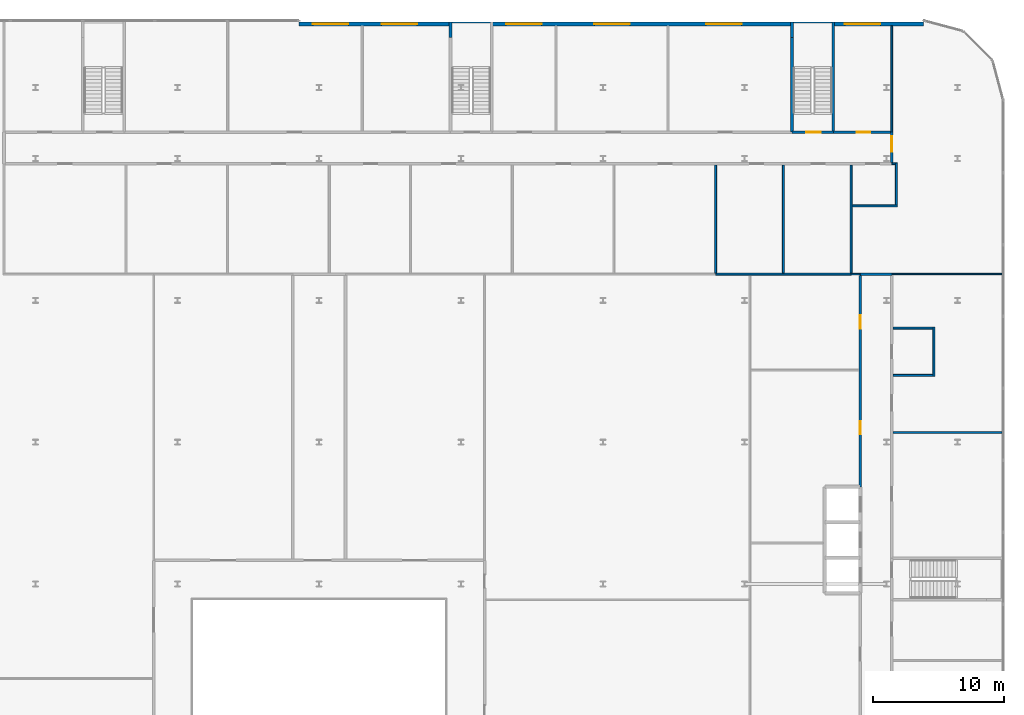
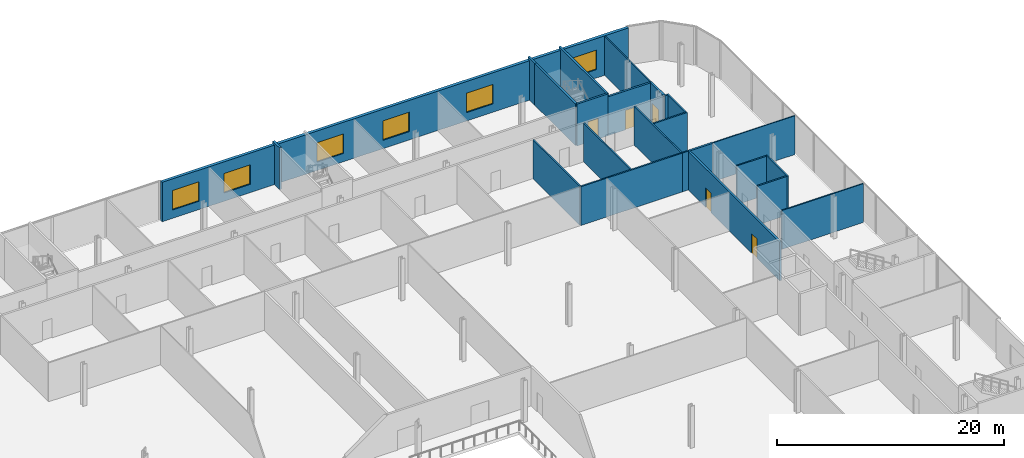
# One storey, part 36 of 47: 24 walls, 6 windows, 5 doors, 11 openings.
"""IFC4 building model written with IfcOpenShell, lengths in metres."""

import ifcopenshell
import ifcopenshell.guid

model = None  # the IFC model being written
_history = None  # IfcOwnerHistory: only IFC2X3 demands one
_inside = {}  # id of a spatial element -> (the spatial element, [elements in it])
_under = {}  # id of a project, library or spatial element -> (it, [spatial elements below it])
_declared = {}  # id of a project -> (the project, [libraries it declares])
_typed = {}  # id of a type object -> (the type object, [elements of that type])
_made_of = {}  # id of a material, layer set ... -> (it, [elements and type objects made of it])


def new_model(schema):
    """Start an empty IFC model of exactly this schema.

    Asked for "IFC4X3", IfcOpenShell would pick the latest addendum, in which some entities
    have other attributes; the version numbers below select the first issue.
    IFC2X3 requires an IfcOwnerHistory on every rooted entity: one is made here for all.
    """
    global model, _history
    if schema == "IFC4X3":
        model = ifcopenshell.file(schema_version=(4, 3, 0, 0))
    else:
        model = ifcopenshell.file(schema=schema)
    _inside.clear()
    _under.clear()
    _declared.clear()
    _typed.clear()
    _made_of.clear()
    _history = None
    if model.schema == "IFC2X3":
        org = make("IfcOrganization", Name="unknown")
        user = make(
            "IfcPersonAndOrganization",
            ThePerson=make("IfcPerson", FamilyName="unknown"),
            TheOrganization=org,
        )
        app = make(
            "IfcApplication",
            ApplicationDeveloper=org,
            Version="unknown",
            ApplicationFullName="unknown",
            ApplicationIdentifier="unknown",
        )
        _history = make(
            "IfcOwnerHistory",
            OwningUser=user,
            OwningApplication=app,
            ChangeAction="ADDED",
            CreationDate=0,
        )
    return model


def make(cls, **values):
    """One entity of the class cls with the attributes given. An attribute that is None is left unset."""
    return model.create_entity(
        cls, **{name: value for name, value in values.items() if value is not None}
    )


def rooted(cls, **values):
    """An entity with a GlobalId (a new one), such as an element, a storey or a relation."""
    return make(cls, GlobalId=ifcopenshell.guid.new(), OwnerHistory=_history, **values)


def si_unit(unit_type, name, prefix=None):
    """IfcSIUnit, for example si_unit("LENGTHUNIT", "METRE", prefix="MILLI")."""
    return make("IfcSIUnit", UnitType=unit_type, Prefix=prefix, Name=name)


def assignment(units):
    """IfcUnitAssignment: the units of a project."""
    return None if units is None else make("IfcUnitAssignment", Units=units)


def point(xyz):
    """IfcCartesianPoint."""
    return None if xyz is None else make("IfcCartesianPoint", Coordinates=xyz)


def direction(xyz):
    """IfcDirection."""
    return None if xyz is None else make("IfcDirection", DirectionRatios=xyz)


def frame(location, z_axis=None, x_axis=None):
    """IfcAxis2Placement3D, a coordinate frame: its origin and axes. An axis left out is left unset."""
    return make(
        "IfcAxis2Placement3D",
        Location=point(location),
        Axis=direction(z_axis),
        RefDirection=direction(x_axis),
    )


def frame_2d(location, x_axis=None):
    """IfcAxis2Placement2D, a coordinate frame in the plane: its origin and x axis."""
    return make(
        "IfcAxis2Placement2D", Location=point(location), RefDirection=direction(x_axis)
    )


def origin():
    """The frame at (0, 0, 0) with its axes left unset."""
    return frame((0.0, 0.0, 0.0))


def place(relative_to, where):
    """IfcLocalPlacement: puts the frame where relative to a parent placement (None: the world)."""
    return make(
        "IfcLocalPlacement", PlacementRelTo=relative_to, RelativePlacement=where
    )


def context(
    kind, dimensions, precision=None, world=None, true_north=None, identifier=None
):
    """IfcGeometricRepresentationContext, for example the 3D "Model" context."""
    return make(
        "IfcGeometricRepresentationContext",
        ContextIdentifier=identifier,
        ContextType=kind,
        CoordinateSpaceDimension=dimensions,
        Precision=precision,
        WorldCoordinateSystem=world,
        TrueNorth=true_north,
    )


def subcontext(parent, identifier, kind, view, scale=None):
    """IfcGeometricRepresentationSubContext, for example "Body" below "Model"."""
    return make(
        "IfcGeometricRepresentationSubContext",
        ContextIdentifier=identifier,
        ContextType=kind,
        ParentContext=parent,
        TargetScale=scale,
        TargetView=view,
    )


def project(units=None, contexts=None):
    """IfcProject with its units and contexts."""
    return rooted(
        "IfcProject",
        Name="project",
        RepresentationContexts=contexts,
        UnitsInContext=assignment(units),
    )


def spatial(cls, under=None, at=None, **own):
    """A site, building, storey or space (cls), placed at a placement, below another one or the project."""
    s = rooted(cls, ObjectPlacement=at, **own)
    if under is not None:
        _under.setdefault(under.id(), (under, []))[1].append(s)
    return s


def profile(cls, at=None, kind="AREA", **sizes):
    """A parametric profile (cls). Its sizes go by their IFC names, for example OverallWidth=200.0."""
    return make(cls, ProfileType=kind, Position=at, **sizes)


def rectangle(**sizes):
    """IfcRectangleProfileDef."""
    return profile("IfcRectangleProfileDef", **sizes)


def extrude(swept, where, along, depth):
    """IfcExtrudedAreaSolid: the profile swept, set in the frame where, extruded along a direction by depth."""
    return make(
        "IfcExtrudedAreaSolid",
        SweptArea=swept,
        Position=where,
        ExtrudedDirection=direction(along),
        Depth=depth,
    )


def shape(context_of_items, identifier, shape_type, items):
    """IfcShapeRepresentation: the items that make up one representation, for example the "Body"."""
    return make(
        "IfcShapeRepresentation",
        ContextOfItems=context_of_items,
        RepresentationIdentifier=identifier,
        RepresentationType=shape_type,
        Items=items,
    )


def source(mapping_origin, context_of_items, identifier, shape_type, items):
    """IfcRepresentationMap: a shape defined once, which mapped items show again and again."""
    return make(
        "IfcRepresentationMap",
        MappingOrigin=mapping_origin,
        MappedRepresentation=shape(context_of_items, identifier, shape_type, items),
    )


def transform(
    local_origin,
    x_axis=None,
    y_axis=None,
    z_axis=None,
    scale=None,
    scale2=None,
    scale3=None,
    uniform=True,
):
    """IfcCartesianTransformationOperator3D, or its non-uniform kind. x_axis, y_axis, z_axis: its Axis1, 2, 3."""
    if uniform:
        return make(
            "IfcCartesianTransformationOperator3D",
            Axis1=direction(x_axis),
            Axis2=direction(y_axis),
            LocalOrigin=point(local_origin),
            Scale=scale,
            Axis3=direction(z_axis),
        )
    return make(
        "IfcCartesianTransformationOperator3DnonUniform",
        Axis1=direction(x_axis),
        Axis2=direction(y_axis),
        LocalOrigin=point(local_origin),
        Scale=scale,
        Axis3=direction(z_axis),
        Scale2=scale2,
        Scale3=scale3,
    )


def mapped(mapping_source, mapping_target):
    """IfcMappedItem: shows the shape of a source again, moved by a transform."""
    return make(
        "IfcMappedItem", MappingSource=mapping_source, MappingTarget=mapping_target
    )


def material(Name=None, Category=None):
    """IfcMaterial."""
    return make("IfcMaterial", Name=Name, Category=Category)


def layer(
    of_material, thickness, ventilated=None, Name=None, Category=None, Priority=None
):
    """IfcMaterialLayer: one layer of a wall or slab, of a material (None: an air gap)."""
    return make(
        "IfcMaterialLayer",
        Material=of_material,
        LayerThickness=thickness,
        IsVentilated=ventilated,
        Name=Name,
        Category=Category,
        Priority=Priority,
    )


def layer_set(layers, Name=None):
    """IfcMaterialLayerSet."""
    return make("IfcMaterialLayerSet", MaterialLayers=layers, LayerSetName=Name)


def made_of(thing, what):
    """Note that an element or type object is made of a material, layer set ...; save() writes the relation."""
    if what is not None:
        _made_of.setdefault(what.id(), (what, []))[1].append(thing)
    return thing


def type_object(cls, material=None, **own):
    """A type object (cls), such as IfcWallType, which elements share."""
    return made_of(rooted(cls, **own), material)


def element(
    cls,
    number,
    at=None,
    inside=None,
    cuts=None,
    type_object=None,
    material=None,
    context=None,
    identifier="Body",
    shape_type=None,
    held_by="IfcProductDefinitionShape",
    body=None,
    shapes=None,
    **own,
):
    """One element of the class cls, such as IfcWall. Its Tag is "e" and its number.

    at: its placement. inside: the storey or other place that contains it. cuts: it is an
    opening in that element (IfcRelVoidsElement). A single representation is given by context,
    identifier, shape_type and body (its items); several are given by shapes. held_by: the class
    of the entity that holds the representations. save() writes the other relations.
    """
    e = rooted(cls, Tag="e%d" % number, ObjectPlacement=at, **own)
    if body is not None:
        shapes = [shape(context, identifier, shape_type, body)]
    if shapes is not None:
        e.Representation = make(held_by, Representations=shapes)
    if inside is not None:
        _inside.setdefault(inside.id(), (inside, []))[1].append(e)
    if cuts is not None:
        rooted(
            "IfcRelVoidsElement", RelatingBuildingElement=cuts, RelatedOpeningElement=e
        )
    if type_object is not None:
        _typed.setdefault(type_object.id(), (type_object, []))[1].append(e)
    return made_of(e, material)


def fill(opening, filler):
    """IfcRelFillsElement: the door or window that sits in an opening."""
    return rooted(
        "IfcRelFillsElement",
        RelatingOpeningElement=opening,
        RelatedBuildingElement=filler,
    )


def aggregate(whole, parts):
    """IfcRelAggregates: a whole, such as a stair, and the parts it consists of."""
    return rooted("IfcRelAggregates", RelatingObject=whole, RelatedObjects=parts)


def save(model, path):
    """Write the relations noted so far, then the file.

    IfcRelAggregates (storeys below a building ...), IfcRelContainedInSpatialStructure (elements
    in a storey), IfcRelDefinesByType, IfcRelAssociatesMaterial and IfcRelDeclares: one each for
    every whole, place, type object, material and project.
    """
    for whole, parts in _under.values():
        aggregate(whole, parts)
    for where, things in _inside.values():
        rooted(
            "IfcRelContainedInSpatialStructure",
            RelatedElements=things,
            RelatingStructure=where,
        )
    for kind, things in _typed.values():
        rooted("IfcRelDefinesByType", RelatedObjects=things, RelatingType=kind)
    for what, things in _made_of.values():
        rooted("IfcRelAssociatesMaterial", RelatedObjects=things, RelatingMaterial=what)
    for by, libraries in _declared.values():
        rooted("IfcRelDeclares", RelatingContext=by, RelatedDefinitions=libraries)
    model.write(path)


model = new_model("IFC4")

# Units and contexts
model_context = context("Model", 3, precision=1e-05, world=origin(), true_north=direction((0.0, 1.0)))
body_context = subcontext(model_context, "Body", "Model", "MODEL_VIEW")
ifc_project = project(units=[si_unit("LENGTHUNIT", "METRE"), si_unit("AREAUNIT", "SQUARE_METRE"), si_unit("VOLUMEUNIT", "CUBIC_METRE"), si_unit("PLANEANGLEUNIT", "RADIAN"), si_unit("MASSUNIT", "GRAM", prefix="KILO")], contexts=[model_context])

# Site, building, storey
site_placement = place(None, origin())
site = spatial("IfcSite", under=ifc_project, at=site_placement, CompositionType="ELEMENT")
building_placement = place(site_placement, origin())
building = spatial("IfcBuilding", under=site, at=building_placement, Name="Kheshtan School and Residences Tower", CompositionType="ELEMENT")
storey_placement = place(building_placement, frame((0.0, 0.0, 12.5)))
storey = spatial("IfcBuildingStorey", under=building, at=storey_placement, Name="L02", CompositionType="ELEMENT", Elevation=12.5)

# Walls
ifc_material_1 = material(Name="Gypsum board on steel studs with mineral wool", Category="steel")
ifc_layer_1 = layer(ifc_material_1, 0.125)
ifc_layer_set_1 = layer_set([ifc_layer_1], Name="Acoustic partition 125")
wall_type_1 = type_object("IfcWallType", Name="Acoustic partition 125", PredefinedType="PARTITIONING", material=ifc_layer_set_1)
wall_1_placement = place(storey_placement, frame((120.50390625, 90.800048828125, 0.0), z_axis=(0.0, 0.0, 1.0), x_axis=(1.0, 0.0, 0.0)))
element("IfcWall", 1, at=wall_1_placement, inside=storey, type_object=wall_type_1, Name="Partition L02-076", PredefinedType="PARTITIONING", context=body_context, shape_type="SweptSolid", body=[
    extrude(rectangle(XDim=0.696044921875, YDim=0.125, at=frame_2d((0.34814453125, 0.0))), origin(), (0.0, 0.0, 1.0), 4.179931640625),
])
wall_2_placement = place(storey_placement, frame((123.60009765625, 101.60009765625, 0.0), z_axis=(0.0, 0.0, 1.0), x_axis=(0.0, 1.0, 0.0)))
element("IfcWall", 2, at=wall_2_placement, inside=storey, type_object=wall_type_1, Name="Partition L02-090", PredefinedType="PARTITIONING", context=body_context, shape_type="SweptSolid", body=[
    extrude(rectangle(XDim=8.100830078125, YDim=0.125, at=frame_2d((4.05029296875, 0.0))), origin(), (0.0, 0.0, 1.0), 4.179931640625),
])
wall_3_placement = place(storey_placement, frame((123.699951171875, 78.738037109375, 0.0), z_axis=(0.0, 0.0, 1.0), x_axis=(1.0, 0.0, 0.0)))
element("IfcWall", 3, at=wall_3_placement, inside=storey, type_object=wall_type_1, Name="Partition L02-092", PredefinedType="PARTITIONING", context=body_context, shape_type="SweptSolid", body=[
    extrude(rectangle(XDim=8.300048828125, YDim=0.125, at=frame_2d((4.14990234375, 0.0))), origin(), (0.0, 0.0, 1.0), 4.179931640625),
])

# Wall, opening, door
ifc_material_2 = material(Name="Gypsum board on steel studs with fire boards", Category="steel")
ifc_layer_2 = layer(ifc_material_2, 0.199951171875)
ifc_layer_set_2 = layer_set([ifc_layer_2], Name="Corridor wall 200")
wall_type_2 = type_object("IfcWallType", Name="Corridor wall 200", PredefinedType="PARTITIONING", material=ifc_layer_set_2)
wall_4_placement = place(storey_placement, frame((119.14990234375, 101.60009765625, 0.0), z_axis=(0.0, 0.0, 1.0), x_axis=(1.0, 0.0, 0.0)))
wall_4 = element("IfcWall", 4, at=wall_4_placement, inside=storey, type_object=wall_type_2, Name="Partition L02-075", PredefinedType="PARTITIONING", context=body_context, shape_type="SweptSolid", body=[
    extrude(rectangle(XDim=4.35009765625, YDim=0.199951171875, at=frame_2d((2.175048828125, 0.0))), origin(), (0.0, 0.0, 1.0), 4.179931640625),
])
opening_1_placement = place(wall_4_placement, frame((1.800048828125, 0.0, 0.0)))
opening_1 = element("IfcOpeningElement", 5, at=opening_1_placement, cuts=wall_4, Name="Opening D02-031", PredefinedType="OPENING", context=body_context, shape_type="SweptSolid", body=[
    extrude(rectangle(XDim=1.0, YDim=2.10009765625, at=frame_2d((0.5, 1.050048828125))), frame((0.0, 0.10986328125, 0.0), z_axis=(0.0, -1.0, 0.0), x_axis=(1.0, 0.0, 0.0)), (0.0, 0.0, 1.0), 0.219970703125),
])
ifc_material_3 = material(Name="Steel-framed fire-resisting door leaf", Category="steel")
door_type_1 = type_object("IfcDoorType", Name="Fire door FD60 1000 x 2100", OperationType="SINGLE_SWING_LEFT", PredefinedType="DOOR", material=ifc_material_3)
shared_shape_1 = source(origin(), body_context, "Body", "SweptSolid", [
    extrude(rectangle(XDim=1.0, YDim=2.10009765625, at=frame_2d((0.5, 1.050048828125))), frame((0.0, 0.02490234375, 0.0), z_axis=(0.0, -1.0, 0.0), x_axis=(1.0, 0.0, 0.0)), (0.0, 0.0, 1.0), 0.050048828125),
])
door_1_placement = place(opening_1_placement, origin())
door_1 = element("IfcDoor", 6, at=door_1_placement, inside=storey, type_object=door_type_1, Name="Door D02-031", OperationType="SINGLE_SWING_RIGHT", OverallHeight=2.10009765625, OverallWidth=1.0, PredefinedType="DOOR", context=body_context, shape_type="MappedRepresentation", body=[
    mapped(shared_shape_1, transform((0.0, 0.0, 0.0), x_axis=(1.0, 0.0, 0.0), y_axis=(0.0, 1.0, 0.0), z_axis=(0.0, 0.0, 1.0), scale=1.0)),
])
fill(opening_1, door_1)

# Wall, openings, doors
wall_5_placement = place(storey_placement, frame((121.199951171875, 74.60009765625, 0.0), z_axis=(0.0, 0.0, 1.0), x_axis=(0.0, 1.0, 0.0)))
wall_5 = element("IfcWall", 7, at=wall_5_placement, inside=storey, type_object=wall_type_2, Name="Partition L02-082", PredefinedType="PARTITIONING", context=body_context, shape_type="SweptSolid", body=[
    extrude(rectangle(XDim=16.099853515625, YDim=0.199951171875, at=frame_2d((8.0498046875, 0.0))), origin(), (0.0, 0.0, 1.0), 4.179931640625),
])
opening_2_placement = place(wall_5_placement, frame((3.987060546875, 0.0, 0.0)))
opening_2 = element("IfcOpeningElement", 8, at=opening_2_placement, cuts=wall_5, Name="Opening D02-003", PredefinedType="OPENING", context=body_context, shape_type="SweptSolid", body=[
    extrude(rectangle(XDim=1.0, YDim=2.10009765625, at=frame_2d((0.5, 1.050048828125))), frame((0.0, 0.10986328125, 0.0), z_axis=(0.0, -1.0, 0.0), x_axis=(1.0, 0.0, 0.0)), (0.0, 0.0, 1.0), 0.219970703125),
])
opening_3_placement = place(wall_5_placement, frame((12.050048828125, 0.0, 0.0)))
opening_3 = element("IfcOpeningElement", 9, at=opening_3_placement, cuts=wall_5, Name="Opening D02-004", PredefinedType="OPENING", context=body_context, shape_type="SweptSolid", body=[
    extrude(rectangle(XDim=1.0, YDim=2.10009765625, at=frame_2d((0.5, 1.050048828125))), frame((0.0, 0.10986328125, 0.0), z_axis=(0.0, -1.0, 0.0), x_axis=(1.0, 0.0, 0.0)), (0.0, 0.0, 1.0), 0.219970703125),
])
door_2_placement = place(opening_2_placement, origin())
door_2 = element("IfcDoor", 10, at=door_2_placement, inside=storey, type_object=door_type_1, Name="Door D02-003", OperationType="SINGLE_SWING_LEFT", OverallHeight=2.10009765625, OverallWidth=1.0, PredefinedType="DOOR", context=body_context, shape_type="MappedRepresentation", body=[
    mapped(shared_shape_1, transform((0.0, 0.0, 0.0), x_axis=(1.0, 0.0, 0.0), y_axis=(0.0, 1.0, 0.0), z_axis=(0.0, 0.0, 1.0), scale=1.0)),
])
fill(opening_2, door_2)
door_3_placement = place(opening_3_placement, origin())
door_3 = element("IfcDoor", 11, at=door_3_placement, inside=storey, type_object=door_type_1, Name="Door D02-004", OperationType="SINGLE_SWING_RIGHT", OverallHeight=2.10009765625, OverallWidth=1.0, PredefinedType="DOOR", context=body_context, shape_type="MappedRepresentation", body=[
    mapped(shared_shape_1, transform((0.0, 0.0, 0.0), x_axis=(1.0, 0.0, 0.0), y_axis=(0.0, 1.0, 0.0), z_axis=(0.0, 0.0, 1.0), scale=1.0)),
])
fill(opening_3, door_3)

# Wall
wall_6_placement = place(storey_placement, frame((121.199951171875, 90.800048828125, 0.0), z_axis=(0.0, 0.0, 1.0), x_axis=(1.0, 0.0, 0.0)))
element("IfcWall", 12, at=wall_6_placement, inside=storey, type_object=wall_type_2, Name="Partition L02-083", PredefinedType="PARTITIONING", context=body_context, shape_type="SweptSolid", body=[
    extrude(rectangle(XDim=2.400146484375, YDim=0.199951171875, at=frame_2d((1.2001953125, 0.0))), origin(), (0.0, 0.0, 1.0), 4.179931640625),
])

# Wall, opening, door
wall_7_placement = place(storey_placement, frame((123.60009765625, 99.300048828125, 0.0), z_axis=(0.0, 0.0, 1.0), x_axis=(0.0, 1.0, 0.0)))
wall_7 = element("IfcWall", 13, at=wall_7_placement, inside=storey, type_object=wall_type_2, Name="Partition L02-089", PredefinedType="PARTITIONING", context=body_context, shape_type="SweptSolid", body=[
    extrude(rectangle(XDim=2.300048828125, YDim=0.199951171875, at=frame_2d((1.14990234375, 0.0))), origin(), (0.0, 0.0, 1.0), 4.179931640625),
])
opening_4_placement = place(wall_7_placement, frame((0.800048828125, 0.0, 0.0)))
opening_4 = element("IfcOpeningElement", 14, at=opening_4_placement, cuts=wall_7, Name="Opening D02-015", PredefinedType="OPENING", context=body_context, shape_type="SweptSolid", body=[
    extrude(rectangle(XDim=1.199951171875, YDim=2.10009765625, at=frame_2d((0.60009765625, 1.050048828125))), frame((0.0, 0.10986328125, 0.0), z_axis=(0.0, -1.0, 0.0), x_axis=(1.0, 0.0, 0.0)), (0.0, 0.0, 1.0), 0.219970703125),
])
door_type_2 = type_object("IfcDoorType", Name="Fire door FD60 1200 x 2100", OperationType="SINGLE_SWING_LEFT", PredefinedType="DOOR", material=ifc_material_3)
shared_shape_2 = source(origin(), body_context, "Body", "SweptSolid", [
    extrude(rectangle(XDim=1.199951171875, YDim=2.10009765625, at=frame_2d((0.60009765625, 1.050048828125))), frame((0.0, 0.02490234375, 0.0), z_axis=(0.0, -1.0, 0.0), x_axis=(1.0, 0.0, 0.0)), (0.0, 0.0, 1.0), 0.050048828125),
])
door_4_placement = place(opening_4_placement, origin())
door_4 = element("IfcDoor", 15, at=door_4_placement, inside=storey, type_object=door_type_2, Name="Door D02-015", OperationType="SINGLE_SWING_RIGHT", OverallHeight=2.10009765625, OverallWidth=1.199951171875, PredefinedType="DOOR", context=body_context, shape_type="MappedRepresentation", body=[
    mapped(shared_shape_2, transform((0.0, 0.0, 0.0), x_axis=(1.0, 0.0, 0.0), y_axis=(0.0, 1.0, 0.0), z_axis=(0.0, 0.0, 1.0), scale=1.0)),
])
fill(opening_4, door_4)

# Wall
ifc_material_4 = material(Name="Gypsum board on steel studs", Category="steel")
ifc_layer_3 = layer(ifc_material_4, 0.10009765625)
ifc_layer_set_3 = layer_set([ifc_layer_3], Name="Gypsum partition 100")
wall_type_3 = type_object("IfcWallType", Name="Gypsum partition 100", PredefinedType="PARTITIONING", material=ifc_layer_set_3)
wall_8_placement = place(storey_placement, frame((123.60009765625, 90.800048828125, 0.0), z_axis=(0.0, 0.0, 1.0), x_axis=(1.0, 0.0, 0.0)))
element("IfcWall", 16, at=wall_8_placement, inside=storey, type_object=wall_type_3, Name="Partition L02-087", PredefinedType="PARTITIONING", context=body_context, shape_type="SweptSolid", body=[
    extrude(rectangle(XDim=8.39990234375, YDim=0.10009765625, at=frame_2d((4.199951171875, 0.0))), origin(), (0.0, 0.0, 1.0), 4.179931640625),
])

# Wall, openings, windows
ifc_material_5 = material(Name="Concrete C40/50 with ceramic cladding and mineral wool insulation", Category="concrete")
ifc_layer_4 = layer(ifc_material_5, 0.300048828125)
ifc_layer_set_4 = layer_set([ifc_layer_4], Name="Podium external wall 300")
wall_type_4 = type_object("IfcWallType", Name="Podium external wall 300", PredefinedType="SOLIDWALL", material=ifc_layer_set_4)
wall_9_placement = place(storey_placement, frame((78.47998046875, 109.85009765625, 0.0), z_axis=(0.0, 0.0, 1.0), x_axis=(1.0, 0.0, 0.0)))
wall_9 = element("IfcWall", 17, at=wall_9_placement, inside=storey, type_object=wall_type_4, Name="Podium external wall L02 4.1", PredefinedType="SOLIDWALL", context=body_context, shape_type="SweptSolid", body=[
    extrude(rectangle(XDim=47.52001953125, YDim=0.300048828125, at=frame_2d((23.760009765625, 0.0))), origin(), (0.0, 0.0, 1.0), 4.25),
])
opening_5_placement = place(wall_9_placement, frame((1.044921875, 0.0, 0.89990234375)))
opening_5 = element("IfcOpeningElement", 18, at=opening_5_placement, cuts=wall_9, Name="Opening WN-D", PredefinedType="OPENING", context=body_context, shape_type="SweptSolid", body=[
    extrude(rectangle(XDim=2.699951171875, YDim=2.10009765625, at=frame_2d((1.35009765625, 1.050048828125))), frame((0.0, 0.16015625, 0.0), z_axis=(0.0, -1.0, 0.0), x_axis=(1.0, 0.0, 0.0)), (0.0, 0.0, 1.0), 0.320068359375),
])
opening_6_placement = place(wall_9_placement, frame((6.280029296875, 0.0, 0.89990234375)))
opening_6 = element("IfcOpeningElement", 19, at=opening_6_placement, cuts=wall_9, Name="Opening WN-D", PredefinedType="OPENING", context=body_context, shape_type="SweptSolid", body=[
    extrude(rectangle(XDim=2.699951171875, YDim=2.10009765625, at=frame_2d((1.35009765625, 1.050048828125))), frame((0.0, 0.16015625, 0.0), z_axis=(0.0, -1.0, 0.0), x_axis=(1.0, 0.0, 0.0)), (0.0, 0.0, 1.0), 0.320068359375),
])
opening_7_placement = place(wall_9_placement, frame((15.764892578125, 0.0, 0.89990234375)))
opening_7 = element("IfcOpeningElement", 20, at=opening_7_placement, cuts=wall_9, Name="Opening WN-D", PredefinedType="OPENING", context=body_context, shape_type="SweptSolid", body=[
    extrude(rectangle(XDim=2.699951171875, YDim=2.10009765625, at=frame_2d((1.35009765625, 1.050048828125))), frame((0.0, 0.16015625, 0.0), z_axis=(0.0, -1.0, 0.0), x_axis=(1.0, 0.0, 0.0)), (0.0, 0.0, 1.0), 0.320068359375),
])
opening_8_placement = place(wall_9_placement, frame((22.469970703125, 0.0, 0.89990234375)))
opening_8 = element("IfcOpeningElement", 21, at=opening_8_placement, cuts=wall_9, Name="Opening WN-D", PredefinedType="OPENING", context=body_context, shape_type="SweptSolid", body=[
    extrude(rectangle(XDim=2.699951171875, YDim=2.10009765625, at=frame_2d((1.35009765625, 1.050048828125))), frame((0.0, 0.16015625, 0.0), z_axis=(0.0, -1.0, 0.0), x_axis=(1.0, 0.0, 0.0)), (0.0, 0.0, 1.0), 0.320068359375),
])
opening_9_placement = place(wall_9_placement, frame((30.989990234375, 0.0, 0.89990234375)))
opening_9 = element("IfcOpeningElement", 22, at=opening_9_placement, cuts=wall_9, Name="Opening WN-D", PredefinedType="OPENING", context=body_context, shape_type="SweptSolid", body=[
    extrude(rectangle(XDim=2.699951171875, YDim=2.10009765625, at=frame_2d((1.35009765625, 1.050048828125))), frame((0.0, 0.16015625, 0.0), z_axis=(0.0, -1.0, 0.0), x_axis=(1.0, 0.0, 0.0)), (0.0, 0.0, 1.0), 0.320068359375),
])
opening_10_placement = place(wall_9_placement, frame((41.544921875, 0.0, 0.89990234375)))
opening_10 = element("IfcOpeningElement", 23, at=opening_10_placement, cuts=wall_9, Name="Opening WN-D", PredefinedType="OPENING", context=body_context, shape_type="SweptSolid", body=[
    extrude(rectangle(XDim=2.699951171875, YDim=2.10009765625, at=frame_2d((1.35009765625, 1.050048828125))), frame((0.0, 0.16015625, 0.0), z_axis=(0.0, -1.0, 0.0), x_axis=(1.0, 0.0, 0.0)), (0.0, 0.0, 1.0), 0.320068359375),
])
ifc_material_6 = material(Name="Clear low-e glass in thermally broken aluminium frame", Category="aluminium")
window_type = type_object("IfcWindowType", Name="Window WN-D", PartitioningType="SINGLE_PANEL", PredefinedType="WINDOW", material=ifc_material_6)
shared_shape_3 = source(origin(), body_context, "Body", "SweptSolid", [
    extrude(rectangle(XDim=2.699951171875, YDim=2.10009765625, at=frame_2d((1.35009765625, 1.050048828125))), frame((0.0, 0.030029296875, 0.0), z_axis=(0.0, -1.0, 0.0), x_axis=(1.0, 0.0, 0.0)), (0.0, 0.0, 1.0), 0.06005859375),
])
window_1_placement = place(opening_5_placement, origin())
window_1 = element("IfcWindow", 24, at=window_1_placement, inside=storey, type_object=window_type, Name="Window L02 4.1.1", OverallHeight=2.10009765625, OverallWidth=2.699951171875, PartitioningType="SINGLE_PANEL", PredefinedType="WINDOW", context=body_context, shape_type="MappedRepresentation", body=[
    mapped(shared_shape_3, transform((0.0, 0.0, 0.0), x_axis=(1.0, 0.0, 0.0), y_axis=(0.0, 1.0, 0.0), z_axis=(0.0, 0.0, 1.0), scale=1.0)),
])
fill(opening_5, window_1)
window_2_placement = place(opening_6_placement, origin())
window_2 = element("IfcWindow", 25, at=window_2_placement, inside=storey, type_object=window_type, Name="Window L02 4.1.2", OverallHeight=2.10009765625, OverallWidth=2.699951171875, PartitioningType="SINGLE_PANEL", PredefinedType="WINDOW", context=body_context, shape_type="MappedRepresentation", body=[
    mapped(shared_shape_3, transform((0.0, 0.0, 0.0), x_axis=(1.0, 0.0, 0.0), y_axis=(0.0, 1.0, 0.0), z_axis=(0.0, 0.0, 1.0), scale=1.0)),
])
fill(opening_6, window_2)
window_3_placement = place(opening_7_placement, origin())
window_3 = element("IfcWindow", 26, at=window_3_placement, inside=storey, type_object=window_type, Name="Window L02 4.1.3", OverallHeight=2.10009765625, OverallWidth=2.699951171875, PartitioningType="SINGLE_PANEL", PredefinedType="WINDOW", context=body_context, shape_type="MappedRepresentation", body=[
    mapped(shared_shape_3, transform((0.0, 0.0, 0.0), x_axis=(1.0, 0.0, 0.0), y_axis=(0.0, 1.0, 0.0), z_axis=(0.0, 0.0, 1.0), scale=1.0)),
])
fill(opening_7, window_3)
window_4_placement = place(opening_8_placement, origin())
window_4 = element("IfcWindow", 27, at=window_4_placement, inside=storey, type_object=window_type, Name="Window L02 4.1.4", OverallHeight=2.10009765625, OverallWidth=2.699951171875, PartitioningType="SINGLE_PANEL", PredefinedType="WINDOW", context=body_context, shape_type="MappedRepresentation", body=[
    mapped(shared_shape_3, transform((0.0, 0.0, 0.0), x_axis=(1.0, 0.0, 0.0), y_axis=(0.0, 1.0, 0.0), z_axis=(0.0, 0.0, 1.0), scale=1.0)),
])
fill(opening_8, window_4)
window_5_placement = place(opening_9_placement, origin())
window_5 = element("IfcWindow", 28, at=window_5_placement, inside=storey, type_object=window_type, Name="Window L02 4.1.5", OverallHeight=2.10009765625, OverallWidth=2.699951171875, PartitioningType="SINGLE_PANEL", PredefinedType="WINDOW", context=body_context, shape_type="MappedRepresentation", body=[
    mapped(shared_shape_3, transform((0.0, 0.0, 0.0), x_axis=(1.0, 0.0, 0.0), y_axis=(0.0, 1.0, 0.0), z_axis=(0.0, 0.0, 1.0), scale=1.0)),
])
fill(opening_9, window_5)
window_6_placement = place(opening_10_placement, origin())
window_6 = element("IfcWindow", 29, at=window_6_placement, inside=storey, type_object=window_type, Name="Window L02 4.1.6", OverallHeight=2.10009765625, OverallWidth=2.699951171875, PartitioningType="SINGLE_PANEL", PredefinedType="WINDOW", context=body_context, shape_type="MappedRepresentation", body=[
    mapped(shared_shape_3, transform((0.0, 0.0, 0.0), x_axis=(1.0, 0.0, 0.0), y_axis=(0.0, 1.0, 0.0), z_axis=(0.0, 0.0, 1.0), scale=1.0)),
])
fill(opening_10, window_6)

# Wall
ifc_material_7 = material(Name="Concrete C40/50", Category="concrete")
ifc_layer_5 = layer(ifc_material_7, 0.199951171875)
ifc_layer_set_5 = layer_set([ifc_layer_5], Name="Stair enclosure wall 200 Concrete C40/50")
wall_type_5 = type_object("IfcWallType", Name="Stair enclosure wall 200 Concrete C40/50", PredefinedType="SHEAR", material=ifc_layer_set_5)
wall_10_placement = place(storey_placement, frame((90.0, 108.800048828125, 0.0), z_axis=(0.0, 0.0, 1.0), x_axis=(0.0, 1.0, 0.0)))
element("IfcWall", 30, at=wall_10_placement, inside=storey, type_object=wall_type_5, Name="Stair enclosure wall", PredefinedType="SHEAR", context=body_context, shape_type="SweptSolid", body=[
    extrude(rectangle(XDim=1.199951171875, YDim=0.199951171875, at=frame_2d((0.60009765625, 0.0))), origin(), (0.0, 0.0, 1.0), 4.5),
])

# Wall, opening, door
wall_11_placement = place(storey_placement, frame((116.0, 101.60009765625, 0.0), z_axis=(0.0, 0.0, 1.0), x_axis=(1.0, 0.0, 0.0)))
wall_11 = element("IfcWall", 31, at=wall_11_placement, inside=storey, type_object=wall_type_5, Name="Stair enclosure wall", PredefinedType="SHEAR", context=body_context, shape_type="SweptSolid", body=[
    extrude(rectangle(XDim=3.14990234375, YDim=0.199951171875, at=frame_2d((1.574951171875, 0.0))), origin(), (0.0, 0.0, 1.0), 4.5),
])
opening_11_placement = place(wall_11_placement, frame((1.10009765625, 0.0, 0.0)))
opening_11 = element("IfcOpeningElement", 32, at=opening_11_placement, cuts=wall_11, Name="Opening SD90", PredefinedType="OPENING", context=body_context, shape_type="SweptSolid", body=[
    extrude(rectangle(XDim=1.10009765625, YDim=2.199951171875, at=frame_2d((0.550048828125, 1.10009765625))), frame((0.0, 0.10986328125, 0.0), z_axis=(0.0, -1.0, 0.0), x_axis=(1.0, 0.0, 0.0)), (0.0, 0.0, 1.0), 0.219970703125),
])
ifc_material_8 = material(Name="Steel door leaf, galvanised", Category="steel")
door_type_3 = type_object("IfcDoorType", Name="Stair door 1100 steel 90 min", OperationType="SINGLE_SWING_LEFT", PredefinedType="DOOR", material=ifc_material_8)
shared_shape_4 = source(origin(), body_context, "Body", "SweptSolid", [
    extrude(rectangle(XDim=1.10009765625, YDim=2.199951171875, at=frame_2d((0.550048828125, 1.10009765625))), frame((0.0, 0.02490234375, 0.0), z_axis=(0.0, -1.0, 0.0), x_axis=(1.0, 0.0, 0.0)), (0.0, 0.0, 1.0), 0.050048828125),
])
door_5_placement = place(opening_11_placement, origin())
door_5 = element("IfcDoor", 33, at=door_5_placement, inside=storey, type_object=door_type_3, Name="Stair door", OperationType="SINGLE_SWING_RIGHT", OverallHeight=2.199951171875, OverallWidth=1.10009765625, PredefinedType="DOOR", context=body_context, shape_type="MappedRepresentation", body=[
    mapped(shared_shape_4, transform((0.0, 0.0, 0.0), x_axis=(1.0, 0.0, 0.0), y_axis=(0.0, 1.0, 0.0), z_axis=(0.0, 0.0, 1.0), scale=1.0)),
])
fill(opening_11, door_5)

# Walls
wall_12_placement = place(storey_placement, frame((116.0, 101.60009765625, 0.0), z_axis=(0.0, 0.0, 1.0), x_axis=(0.0, 1.0, 0.0)))
element("IfcWall", 34, at=wall_12_placement, inside=storey, type_object=wall_type_5, Name="Stair enclosure wall", PredefinedType="SHEAR", context=body_context, shape_type="SweptSolid", body=[
    extrude(rectangle(XDim=7.199951171875, YDim=0.199951171875, at=frame_2d((3.60009765625, 0.0))), origin(), (0.0, 0.0, 1.0), 4.5),
])
wall_13_placement = place(storey_placement, frame((116.0, 108.800048828125, 0.0), z_axis=(0.0, 0.0, 1.0), x_axis=(0.0, 1.0, 0.0)))
element("IfcWall", 35, at=wall_13_placement, inside=storey, type_object=wall_type_5, Name="Stair enclosure wall", PredefinedType="SHEAR", context=body_context, shape_type="SweptSolid", body=[
    extrude(rectangle(XDim=1.199951171875, YDim=0.199951171875, at=frame_2d((0.60009765625, 0.0))), origin(), (0.0, 0.0, 1.0), 4.5),
])
wall_14_placement = place(storey_placement, frame((119.14990234375, 101.60009765625, 0.0), z_axis=(0.0, 0.0, 1.0), x_axis=(0.0, 1.0, 0.0)))
element("IfcWall", 36, at=wall_14_placement, inside=storey, type_object=wall_type_5, Name="Stair enclosure wall", PredefinedType="SHEAR", context=body_context, shape_type="SweptSolid", body=[
    extrude(rectangle(XDim=8.39990234375, YDim=0.199951171875, at=frame_2d((4.199951171875, 0.0))), origin(), (0.0, 0.0, 1.0), 4.5),
])
ifc_material_9 = material(Name="Moisture-resistant gypsum board on steel studs", Category="steel")
ifc_layer_6 = layer(ifc_material_9, 0.14990234375)
ifc_layer_set_6 = layer_set([ifc_layer_6], Name="Wet-room partition 150")
wall_type_6 = type_object("IfcWallType", Name="Wet-room partition 150", PredefinedType="PARTITIONING", material=ifc_layer_set_6)
wall_15_placement = place(storey_placement, frame((110.18310546875, 90.800048828125, 0.0), z_axis=(0.0, 0.0, 1.0), x_axis=(1.0, 0.0, 0.0)))
element("IfcWall", 37, at=wall_15_placement, inside=storey, type_object=wall_type_6, Name="Partition L02-066", PredefinedType="PARTITIONING", context=body_context, shape_type="SweptSolid", body=[
    extrude(rectangle(XDim=10.32080078125, YDim=0.14990234375, at=frame_2d((5.160400390625, 0.0))), origin(), (0.0, 0.0, 1.0), 4.179931640625),
])
for number, where, z_axis, x_axis, name in (
    (38, (110.18310546875, 90.875, 0.0), (0.0, 0.0, 1.0), (0.0, 1.0, 0.0), "Partition L02-067"),
    (39, (115.343994140625, 90.875, 0.0), (0.0, 0.0, 1.0), (0.0, 1.0, 0.0), "Partition L02-073"),
    (40, (120.50390625, 90.875, 0.0), (0.0, 0.0, 1.0), (0.0, 1.0, 0.0), "Partition L02-077"),
):
    element("IfcWall", number, at=place(storey_placement, frame(where, z_axis=z_axis, x_axis=x_axis)), inside=storey, type_object=wall_type_6, Name=name, PredefinedType="PARTITIONING", context=body_context, shape_type="SweptSolid", body=[
        extrude(rectangle(XDim=8.22509765625, YDim=0.14990234375, at=frame_2d((4.112548828125, 0.0))), origin(), (0.0, 0.0, 1.0), 4.179931640625),
    ])
wall_16_placement = place(storey_placement, frame((120.5791015625, 96.0, 0.0), z_axis=(0.0, 0.0, 1.0), x_axis=(1.0, 0.0, 0.0)))
element("IfcWall", 41, at=wall_16_placement, inside=storey, type_object=wall_type_6, Name="Partition L02-078", PredefinedType="PARTITIONING", context=body_context, shape_type="SweptSolid", body=[
    extrude(rectangle(XDim=3.449951171875, YDim=0.14990234375, at=frame_2d((1.72509765625, 0.0))), origin(), (0.0, 0.0, 1.0), 4.179931640625),
])
wall_17_placement = place(storey_placement, frame((123.60009765625, 99.199951171875, 0.0), z_axis=(0.0, 0.0, 1.0), x_axis=(1.0, 0.0, 0.0)))
element("IfcWall", 42, at=wall_17_placement, inside=storey, type_object=wall_type_6, Name="Partition L02-088", PredefinedType="PARTITIONING", context=body_context, shape_type="SweptSolid", body=[
    extrude(rectangle(XDim=0.27880859375, YDim=0.14990234375, at=frame_2d((0.139404296875, 0.0))), origin(), (0.0, 0.0, 1.0), 4.179931640625),
])
for number, where, z_axis, x_axis, name in (
    (43, (123.699951171875, 83.087890625, 0.0), (0.0, 0.0, 1.0), (1.0, 0.0, 0.0), "Partition L02-093"),
    (44, (123.699951171875, 86.68798828125, 0.0), (0.0, 0.0, 1.0), (1.0, 0.0, 0.0), "Partition L02-094"),
):
    element("IfcWall", number, at=place(storey_placement, frame(where, z_axis=z_axis, x_axis=x_axis)), inside=storey, type_object=wall_type_6, Name=name, PredefinedType="PARTITIONING", context=body_context, shape_type="SweptSolid", body=[
        extrude(rectangle(XDim=3.025146484375, YDim=0.14990234375, at=frame_2d((1.5126953125, 0.0))), origin(), (0.0, 0.0, 1.0), 4.179931640625),
    ])
wall_18_placement = place(storey_placement, frame((123.9541015625, 96.074951171875, 0.0), z_axis=(0.0, 0.0, 1.0), x_axis=(0.0, 1.0, 0.0)))
element("IfcWall", 45, at=wall_18_placement, inside=storey, type_object=wall_type_6, Name="Partition L02-095", PredefinedType="PARTITIONING", context=body_context, shape_type="SweptSolid", body=[
    extrude(rectangle(XDim=3.199951171875, YDim=0.14990234375, at=frame_2d((1.60009765625, 0.0))), origin(), (0.0, 0.0, 1.0), 4.179931640625),
])
wall_19_placement = place(storey_placement, frame((126.800048828125, 83.012939453125, 0.0), z_axis=(0.0, 0.0, 1.0), x_axis=(0.0, 1.0, 0.0)))
element("IfcWall", 46, at=wall_19_placement, inside=storey, type_object=wall_type_6, Name="Partition L02-096", PredefinedType="PARTITIONING", context=body_context, shape_type="SweptSolid", body=[
    extrude(rectangle(XDim=3.75, YDim=0.14990234375, at=frame_2d((1.875, 0.0))), origin(), (0.0, 0.0, 1.0), 4.179931640625),
])

save(model, "model.ifc")
